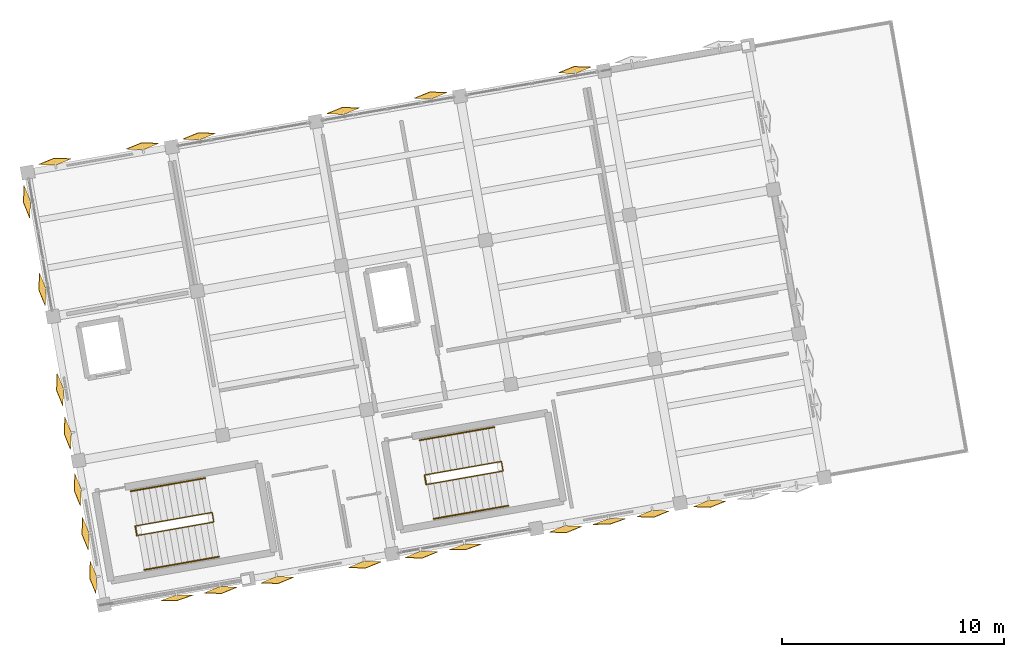
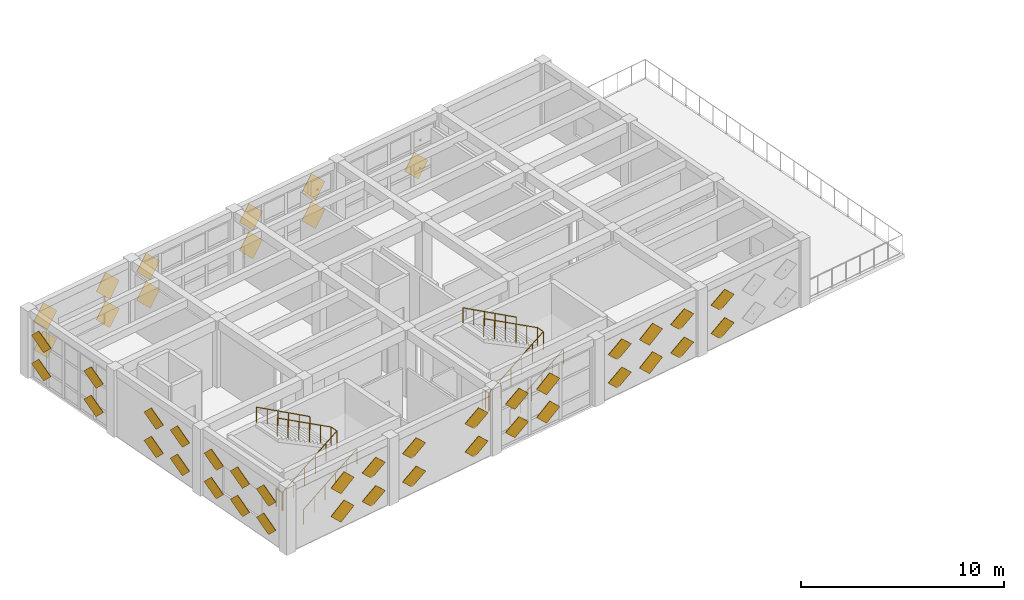
# One storey, part 17 of 18: 45 coverings, 8 railings.
"""IFC4 building model written with IfcOpenShell, lengths in metres."""

from ifc_helpers import new_model, si_unit, direction, frame, origin, origin_2d, place, context, subcontext, project, spatial, polyline, circle, outline, extrude, material, type_object, element, save


model = new_model("IFC4")

# Units and contexts
model_context = context("Model", 3, precision=1e-05, world=origin(), true_north=direction((0.0, 1.0)))
body_context = subcontext(model_context, "Body", "Model", "MODEL_VIEW")
ifc_project = project(units=[si_unit("LENGTHUNIT", "METRE"), si_unit("AREAUNIT", "SQUARE_METRE"), si_unit("VOLUMEUNIT", "CUBIC_METRE"), si_unit("PLANEANGLEUNIT", "RADIAN"), si_unit("MASSUNIT", "GRAM", prefix="KILO")], contexts=[model_context])

# Site, building, storey
site_placement = place(None, origin())
site = spatial("IfcSite", under=ifc_project, at=site_placement, CompositionType="ELEMENT")
building_placement = place(site_placement, origin())
building = spatial("IfcBuilding", under=site, at=building_placement, Name="Kharisveld Research Institute", CompositionType="ELEMENT")
storey_placement = place(building_placement, frame((0.0, 0.0, 36.60009765625)))
storey = spatial("IfcBuildingStorey", under=building, at=storey_placement, Name="L08", CompositionType="ELEMENT", Elevation=36.60009765625)

# Railings
ifc_material_1 = material(Name="Steel S355JR", Category="steel")
railing_type_1 = type_object("IfcRailingType", Name="RL_GRD_STR", PredefinedType="GUARDRAIL", material=ifc_material_1)
railing_1_placement = place(storey_placement, frame((6.75048828125, 38.13671875, 0.0)))
element("IfcRailing", 1, at=railing_1_placement, inside=storey, type_object=railing_type_1, Name="RLG:ST1:L08:GRD_SLOT", PredefinedType="GUARDRAIL", context=body_context, shape_type="SweptSolid", body=[
    extrude(circle(Radius=0.02392578125, at=origin_2d()), frame((0.0, 0.0, 1.09619140625), z_axis=(0.841896624573, 0.148449351084, 0.518818719492), x_axis=(-0.173648473997, 0.984807700761, 0.0)), (0.0, 0.0, 1.0), 4.04736328125),
    extrude(circle(Radius=0.02392578125, at=origin_2d()), frame((3.407470703125, 0.600830078125, 3.19580078125), z_axis=(-0.173658729201, 0.984805892434, 0.0), x_axis=(-0.984805892434, -0.173658729201, 0.0)), (0.0, 0.0, 1.0), 0.43994140625),
    extrude(circle(Radius=0.02392578125, at=origin_2d()), frame((3.3310546875, 1.0341796875, 3.19580078125), z_axis=(-0.841852707203, -0.148452243653, 0.518889150714), x_axis=(0.173660541335, -0.984805572884, 0.0)), (0.0, 0.0, 1.0), 4.04736328125),
    extrude(circle(Radius=0.02099609375, at=origin_2d()), origin(), (0.0, 0.0, 1.0), 1.072021484375),
    extrude(circle(Radius=0.02099609375, at=origin_2d()), frame((0.681396484375, 0.1201171875, 0.419921875)), (0.0, 0.0, 1.0), 1.072021484375),
    extrude(circle(Radius=0.02099609375, at=origin_2d()), frame((1.363037109375, 0.240234375, 0.83984375)), (0.0, 0.0, 1.0), 1.072021484375),
    extrude(circle(Radius=0.02099609375, at=origin_2d()), frame((2.04443359375, 0.360595703125, 1.260009765625)), (0.0, 0.0, 1.0), 1.072021484375),
    extrude(circle(Radius=0.02099609375, at=origin_2d()), frame((2.72607421875, 0.480712890625, 1.679931640625)), (0.0, 0.0, 1.0), 1.072021484375),
    extrude(circle(Radius=0.02099609375, at=origin_2d()), frame((3.407470703125, 0.600830078125, 2.099853515625)), (0.0, 0.0, 1.0), 1.072021484375),
    extrude(circle(Radius=0.02099609375, at=origin_2d()), frame((3.3310546875, 1.0341796875, 2.099853515625)), (0.0, 0.0, 1.0), 1.072021484375),
    extrude(circle(Radius=0.02099609375, at=origin_2d()), frame((2.649658203125, 0.9140625, 2.519775390625)), (0.0, 0.0, 1.0), 1.072021484375),
    extrude(circle(Radius=0.02099609375, at=origin_2d()), frame((1.96826171875, 0.7939453125, 2.93994140625)), (0.0, 0.0, 1.0), 1.072021484375),
    extrude(circle(Radius=0.02099609375, at=origin_2d()), frame((1.28662109375, 0.673583984375, 3.35986328125)), (0.0, 0.0, 1.0), 1.072021484375),
    extrude(circle(Radius=0.02099609375, at=origin_2d()), frame((0.605224609375, 0.553466796875, 3.780029296875)), (0.0, 0.0, 1.0), 1.072021484375),
    extrude(circle(Radius=0.02099609375, at=origin_2d()), frame((-0.076171875, 0.433349609375, 4.199951171875)), (0.0, 0.0, 1.0), 1.072021484375),
])
railing_2_placement = place(storey_placement, frame((6.69140625, 38.12646484375, 0.0)))
element("IfcRailing", 2, at=railing_2_placement, inside=storey, type_object=railing_type_1, Name="RLG:ST1:L08:GRD_FLRSLOT", PredefinedType="GUARDRAIL", context=body_context, shape_type="SweptSolid", body=[
    extrude(circle(Radius=0.02392578125, at=origin_2d()), frame((0.0, 0.0, 1.09619140625), z_axis=(-0.173753665698, 0.984789146801, 0.0), x_axis=(-0.984789146801, -0.173753665698, 0.0)), (0.0, 0.0, 1.0), 0.439697265625),
    extrude(circle(Radius=0.02099609375, at=origin_2d()), origin(), (0.0, 0.0, 1.0), 1.072021484375),
    extrude(circle(Radius=0.02099609375, at=origin_2d()), frame((-0.076416015625, 0.43310546875, 0.0)), (0.0, 0.0, 1.0), 1.072021484375),
])
railing_3_placement = place(storey_placement, frame((19.79931640625, 40.4375, 0.0)))
element("IfcRailing", 3, at=railing_3_placement, inside=storey, type_object=railing_type_1, Name="RLG:ST2:L08:GRD_SLOT", PredefinedType="GUARDRAIL", context=body_context, shape_type="SweptSolid", body=[
    extrude(circle(Radius=0.02392578125, at=origin_2d()), frame((0.0, 0.0, 1.09619140625), z_axis=(0.841896624573, 0.148449351084, 0.518818719492), x_axis=(-0.173648473997, 0.984807700761, 0.0)), (0.0, 0.0, 1.0), 4.04736328125),
    extrude(circle(Radius=0.02392578125, at=origin_2d()), frame((3.407470703125, 0.600830078125, 3.19580078125), z_axis=(-0.173658729201, 0.984805892434, 0.0), x_axis=(-0.984805892434, -0.173658729201, 0.0)), (0.0, 0.0, 1.0), 0.43994140625),
    extrude(circle(Radius=0.02392578125, at=origin_2d()), frame((3.3310546875, 1.0341796875, 3.19580078125), z_axis=(-0.841870276676, -0.14844470523, 0.518862801459), x_axis=(0.173648473997, -0.984807700761, 0.0)), (0.0, 0.0, 1.0), 4.047607421875),
    extrude(circle(Radius=0.02099609375, at=origin_2d()), origin(), (0.0, 0.0, 1.0), 1.072021484375),
    extrude(circle(Radius=0.02099609375, at=origin_2d()), frame((0.681396484375, 0.1201171875, 0.419921875)), (0.0, 0.0, 1.0), 1.072021484375),
    extrude(circle(Radius=0.02099609375, at=origin_2d()), frame((1.363037109375, 0.240234375, 0.83984375)), (0.0, 0.0, 1.0), 1.072021484375),
    extrude(circle(Radius=0.02099609375, at=origin_2d()), frame((2.04443359375, 0.360595703125, 1.260009765625)), (0.0, 0.0, 1.0), 1.072021484375),
    extrude(circle(Radius=0.02099609375, at=origin_2d()), frame((2.72607421875, 0.480712890625, 1.679931640625)), (0.0, 0.0, 1.0), 1.072021484375),
    extrude(circle(Radius=0.02099609375, at=origin_2d()), frame((3.407470703125, 0.600830078125, 2.099853515625)), (0.0, 0.0, 1.0), 1.072021484375),
    extrude(circle(Radius=0.02099609375, at=origin_2d()), frame((3.3310546875, 1.0341796875, 2.099853515625)), (0.0, 0.0, 1.0), 1.072021484375),
    extrude(circle(Radius=0.02099609375, at=origin_2d()), frame((2.649658203125, 0.9140625, 2.519775390625)), (0.0, 0.0, 1.0), 1.072021484375),
    extrude(circle(Radius=0.02099609375, at=origin_2d()), frame((1.968017578125, 0.7939453125, 2.93994140625)), (0.0, 0.0, 1.0), 1.072021484375),
    extrude(circle(Radius=0.02099609375, at=origin_2d()), frame((1.28662109375, 0.673583984375, 3.35986328125)), (0.0, 0.0, 1.0), 1.072021484375),
    extrude(circle(Radius=0.02099609375, at=origin_2d()), frame((0.60498046875, 0.553466796875, 3.780029296875)), (0.0, 0.0, 1.0), 1.072021484375),
    extrude(circle(Radius=0.02099609375, at=origin_2d()), frame((-0.076416015625, 0.433349609375, 4.199951171875)), (0.0, 0.0, 1.0), 1.072021484375),
])
railing_4_placement = place(storey_placement, frame((19.740234375, 40.42724609375, 0.0)))
element("IfcRailing", 4, at=railing_4_placement, inside=storey, type_object=railing_type_1, Name="RLG:ST2:L08:GRD_FLRSLOT", PredefinedType="GUARDRAIL", context=body_context, shape_type="SweptSolid", body=[
    extrude(circle(Radius=0.02392578125, at=origin_2d()), frame((0.0, 0.0, 1.09619140625), z_axis=(-0.173658729201, 0.984805892434, 0.0), x_axis=(-0.984805892434, -0.173658729201, 0.0)), (0.0, 0.0, 1.0), 0.43994140625),
    extrude(circle(Radius=0.02099609375, at=origin_2d()), origin(), (0.0, 0.0, 1.0), 1.072021484375),
    extrude(circle(Radius=0.02099609375, at=origin_2d()), frame((-0.0380859375, 0.216796875, 0.0)), (0.0, 0.0, 1.0), 1.072021484375),
    extrude(circle(Radius=0.02099609375, at=origin_2d()), frame((-0.076416015625, 0.433349609375, 0.0)), (0.0, 0.0, 1.0), 1.072021484375),
])
ifc_material_2 = material(Name="Stainless Steel 316", Category="steel")
railing_type_2 = type_object("IfcRailingType", Name="RL_HND_STR", PredefinedType="HANDRAIL", material=ifc_material_2)
railing_5_placement = place(storey_placement, frame((7.02490234375, 36.580810546875, 0.0)))
element("IfcRailing", 5, at=railing_5_placement, inside=storey, type_object=railing_type_2, Name="RLG:ST1:L08:HR1", PredefinedType="HANDRAIL", context=body_context, shape_type="SweptSolid", body=[
    extrude(circle(Radius=0.02392578125, at=origin_2d()), frame((0.0, 0.0, 0.89599609375), z_axis=(0.839253735377, 0.14794614993, 0.523225672512), x_axis=(-0.173606152129, 0.984815162324, 0.0)), (0.0, 0.0, 1.0), 4.01318359375),
    extrude(circle(Radius=0.02099609375, at=origin_2d()), origin(), (0.0, 0.0, 1.0), 0.871826171875),
    extrude(circle(Radius=0.02099609375, at=origin_2d()), frame((0.673583984375, 0.11865234375, 0.419921875)), (0.0, 0.0, 1.0), 0.871826171875),
    extrude(circle(Radius=0.02099609375, at=origin_2d()), frame((1.34716796875, 0.237548828125, 0.83984375)), (0.0, 0.0, 1.0), 0.871826171875),
    extrude(circle(Radius=0.02099609375, at=origin_2d()), frame((2.02099609375, 0.356201171875, 1.260009765625)), (0.0, 0.0, 1.0), 0.871826171875),
    extrude(circle(Radius=0.02099609375, at=origin_2d()), frame((2.694580078125, 0.47509765625, 1.679931640625)), (0.0, 0.0, 1.0), 0.871826171875),
    extrude(circle(Radius=0.02099609375, at=origin_2d()), frame((3.3681640625, 0.59375, 2.099853515625)), (0.0, 0.0, 1.0), 0.871826171875),
])
railing_6_placement = place(storey_placement, frame((9.767822265625, 40.719970703125, 2.099853515625)))
element("IfcRailing", 6, at=railing_6_placement, inside=storey, type_object=railing_type_2, Name="RLG:ST1:L08:HR2", PredefinedType="HANDRAIL", context=body_context, shape_type="SweptSolid", body=[
    extrude(circle(Radius=0.02392578125, at=origin_2d()), frame((0.0, 0.0, 0.89599609375), z_axis=(-0.839201478433, -0.148008495616, 0.523291853387), x_axis=(0.173687593446, -0.984800802134, 0.0)), (0.0, 0.0, 1.0), 4.01318359375),
    extrude(circle(Radius=0.02099609375, at=origin_2d()), origin(), (0.0, 0.0, 1.0), 0.871826171875),
    extrude(circle(Radius=0.02099609375, at=origin_2d()), frame((-0.673583984375, -0.118896484375, 0.419921875)), (0.0, 0.0, 1.0), 0.871826171875),
    extrude(circle(Radius=0.02099609375, at=origin_2d()), frame((-1.34716796875, -0.237548828125, 0.840087890625)), (0.0, 0.0, 1.0), 0.871826171875),
    extrude(circle(Radius=0.02099609375, at=origin_2d()), frame((-2.020751953125, -0.3564453125, 1.260009765625)), (0.0, 0.0, 1.0), 0.871826171875),
    extrude(circle(Radius=0.02099609375, at=origin_2d()), frame((-2.6943359375, -0.47509765625, 1.68017578125)), (0.0, 0.0, 1.0), 0.871826171875),
    extrude(circle(Radius=0.02099609375, at=origin_2d()), frame((-3.367919921875, -0.593994140625, 2.10009765625)), (0.0, 0.0, 1.0), 0.871826171875),
])
railing_7_placement = place(storey_placement, frame((20.07373046875, 38.881591796875, 0.0)))
element("IfcRailing", 7, at=railing_7_placement, inside=storey, type_object=railing_type_2, Name="RLG:ST2:L08:HR1", PredefinedType="HANDRAIL", context=body_context, shape_type="SweptSolid", body=[
    extrude(circle(Radius=0.02392578125, at=origin_2d()), frame((0.0, 0.0, 0.89599609375), z_axis=(0.839228193129, 0.148013207241, 0.523247675905), x_axis=(-0.173687593446, 0.984800802134, 0.0)), (0.0, 0.0, 1.0), 4.01318359375),
    extrude(circle(Radius=0.02099609375, at=origin_2d()), origin(), (0.0, 0.0, 1.0), 0.871826171875),
    extrude(circle(Radius=0.02099609375, at=origin_2d()), frame((0.673583984375, 0.118896484375, 0.419921875)), (0.0, 0.0, 1.0), 0.871826171875),
    extrude(circle(Radius=0.02099609375, at=origin_2d()), frame((1.34716796875, 0.237548828125, 0.83984375)), (0.0, 0.0, 1.0), 0.871826171875),
    extrude(circle(Radius=0.02099609375, at=origin_2d()), frame((2.020751953125, 0.3564453125, 1.260009765625)), (0.0, 0.0, 1.0), 0.871826171875),
    extrude(circle(Radius=0.02099609375, at=origin_2d()), frame((2.6943359375, 0.47509765625, 1.679931640625)), (0.0, 0.0, 1.0), 0.871826171875),
    extrude(circle(Radius=0.02099609375, at=origin_2d()), frame((3.367919921875, 0.593994140625, 2.099853515625)), (0.0, 0.0, 1.0), 0.871826171875),
])
railing_8_placement = place(storey_placement, frame((22.816650390625, 43.020751953125, 2.099853515625)))
element("IfcRailing", 8, at=railing_8_placement, inside=storey, type_object=railing_type_2, Name="RLG:ST2:L08:HR2", PredefinedType="HANDRAIL", context=body_context, shape_type="SweptSolid", body=[
    extrude(circle(Radius=0.02392578125, at=origin_2d()), frame((0.0, 0.0, 0.89599609375), z_axis=(-0.839227022115, -0.147941440837, 0.523269849538), x_axis=(0.173606152129, -0.984815162324, 0.0)), (0.0, 0.0, 1.0), 4.013427734375),
    extrude(circle(Radius=0.02099609375, at=origin_2d()), origin(), (0.0, 0.0, 1.0), 0.871826171875),
    extrude(circle(Radius=0.02099609375, at=origin_2d()), frame((-0.673583984375, -0.11865234375, 0.419921875)), (0.0, 0.0, 1.0), 0.871826171875),
    extrude(circle(Radius=0.02099609375, at=origin_2d()), frame((-1.34716796875, -0.237548828125, 0.840087890625)), (0.0, 0.0, 1.0), 0.871826171875),
    extrude(circle(Radius=0.02099609375, at=origin_2d()), frame((-2.02099609375, -0.356201171875, 1.260009765625)), (0.0, 0.0, 1.0), 0.871826171875),
    extrude(circle(Radius=0.02099609375, at=origin_2d()), frame((-2.694580078125, -0.47509765625, 1.68017578125)), (0.0, 0.0, 1.0), 0.871826171875),
    extrude(circle(Radius=0.02099609375, at=origin_2d()), frame((-3.3681640625, -0.59375, 2.10009765625)), (0.0, 0.0, 1.0), 0.871826171875),
])

# Coverings
ifc_material_3 = material(Name="White Powder-Coated Perforated Aluminium", Category="aluminium")
covering_type = type_object("IfcCoveringType", Name="CV_DIA_105", PredefinedType="CLADDING")
for number, where, z_axis, x_axis, name in (
    (9, (4.876953125, 36.269775390625, 0.324951171875), (0.961476347302, 0.169530643305, 0.21638529192), (-0.273471090272, 0.669725119033, 0.690421485559), "SHD:V1:L08:W0:S0C0"),
    (10, (4.876953125, 36.269775390625, 2.025146484375), (0.961476347302, 0.169530643305, 0.21638529192), (-0.273471090272, 0.669725119033, 0.690421485559), "SHD:V1:L08:W0:S0C1"),
    (11, (4.529052734375, 38.24267578125, 0.324951171875), (0.961476347302, 0.169530643305, 0.21638529192), (-0.273471090272, 0.669725119033, 0.690421485559), "SHD:V1:L08:W0:S1C0"),
    (12, (4.529052734375, 38.24267578125, 2.025146484375), (0.961476347302, 0.169530643305, 0.21638529192), (-0.273471090272, 0.669725119033, 0.690421485559), "SHD:V1:L08:W0:S1C1"),
):
    element("IfcCovering", number, at=place(storey_placement, frame(where, z_axis=z_axis, x_axis=x_axis)), inside=storey, type_object=covering_type, material=ifc_material_3, Name=name, PredefinedType="CLADDING", context=body_context, shape_type="SweptSolid", body=[
        extrude(outline(polyline([(0.0, 0.0), (1.0498710291992122, 0.0), (1.0499937163043682, 1.0499534820137317), (0.00012268710515594972, 1.049953482013732), (0.0, 0.0)])), origin(), (0.0, 0.0, -1.0), 0.02392578125),
    ])
for number, where, z_axis, x_axis, name in (
    (13, (4.181396484375, 40.215576171875, 0.324951171875), (0.961442649282, 0.16952470156, 0.216539621552), (-0.273578752319, 0.669701468459, 0.690401773914), "SHD:V1:L08:W0:S2C0"),
    (14, (4.181396484375, 40.215576171875, 2.025146484375), (0.961442649282, 0.16952470156, 0.216539621552), (-0.273578752319, 0.669701468459, 0.690401773914), "SHD:V1:L08:W0:S2C1"),
):
    element("IfcCovering", number, at=place(storey_placement, frame(where, z_axis=z_axis, x_axis=x_axis)), inside=storey, type_object=covering_type, material=ifc_material_3, Name=name, PredefinedType="CLADDING", context=body_context, shape_type="SweptSolid", body=[
        extrude(outline(polyline([(0.0, 0.0), (1.0499378143046156, 0.0), (1.0500673190877523, 1.04995347463551), (0.0001962964707143966, 1.0499603048962165), (0.0, 0.0)])), origin(), (0.0, 0.0, -1.0), 0.02392578125),
    ])
for number, where, z_axis, x_axis, name in (
    (15, (3.73095703125, 42.76953125, 0.324951171875), (0.961481187298, 0.169503194288, 0.216385289699), (-0.273452141042, 0.669728459805, 0.690425750307), "SHD:V1:L08:W1:S0C0"),
    (16, (3.73095703125, 42.76953125, 2.025146484375), (0.961481187298, 0.169503194288, 0.216385289699), (-0.273452141042, 0.669728459805, 0.690425750307), "SHD:V1:L08:W1:S0C1"),
    (17, (3.383056640625, 44.742431640625, 0.324951171875), (0.961481187298, 0.169503194288, 0.216385289699), (-0.273452141042, 0.669728459805, 0.690425750307), "SHD:V1:L08:W1:S1C0"),
    (18, (3.383056640625, 44.742431640625, 2.025146484375), (0.961481187298, 0.169503194288, 0.216385289699), (-0.273452141042, 0.669728459805, 0.690425750307), "SHD:V1:L08:W1:S1C1"),
):
    element("IfcCovering", number, at=place(storey_placement, frame(where, z_axis=z_axis, x_axis=x_axis)), inside=storey, type_object=covering_type, material=ifc_material_3, Name=name, PredefinedType="CLADDING", context=body_context, shape_type="SweptSolid", body=[
        extrude(outline(polyline([(0.0, 0.0), (1.0498710289953155, -1.1102230246251565e-16), (1.0499937165082887, 1.0499534818098035), (-4.082041178410378e-05, 1.0501299960653954), (0.0, 0.0)])), origin(), (0.0, 0.0, -1.0), 0.02392578125),
    ])
for number, where, z_axis, x_axis, name in (
    (19, (2.5849609375, 49.269287109375, 0.324951171875), (0.961420032054, 0.169652917176, 0.216539626071), (-0.273667258538, 0.669685861016, 0.690381835769), "SHD:V1:L08:W2:S0C0"),
    (20, (2.5849609375, 49.269287109375, 2.025146484375), (0.961420032054, 0.169652917176, 0.216539626071), (-0.273667258538, 0.669685861016, 0.690381835769), "SHD:V1:L08:W2:S0C1"),
):
    element("IfcCovering", number, at=place(storey_placement, frame(where, z_axis=z_axis, x_axis=x_axis)), inside=storey, type_object=covering_type, material=ifc_material_3, Name=name, PredefinedType="CLADDING", context=body_context, shape_type="SweptSolid", body=[
        extrude(outline(polyline([(0.0, 0.0), (1.0499378206599106, 0.0), (1.0500673127316735, 1.0499534809922781), (-3.40054528989997e-05, 1.0501299963078314), (0.0, 0.0)])), origin(), (0.0, 0.0, -1.0), 0.02392578125),
    ])
for number, where, z_axis, x_axis, name in (
    (21, (1.88916015625, 53.215087890625, 0.324951171875), (0.961447488939, 0.169497253476, 0.216539620108), (-0.273559622879, 0.669709514325, 0.690401549211), "SHD:V1:L08:W2:S2C0"),
    (22, (1.88916015625, 53.215087890625, 2.025146484375), (0.961447488939, 0.169497253476, 0.216539620108), (-0.273559622879, 0.669709514325, 0.690401549211), "SHD:V1:L08:W2:S2C1"),
):
    element("IfcCovering", number, at=place(storey_placement, frame(where, z_axis=z_axis, x_axis=x_axis)), inside=storey, type_object=covering_type, material=ifc_material_3, Name=name, PredefinedType="CLADDING", context=body_context, shape_type="SweptSolid", body=[
        extrude(outline(polyline([(0.0, 0.0), (1.0498710247482905, 1.1102230246251565e-16), (1.0500604861589913, 1.0499603082606803), (-4.0828905999434895e-05, 1.0501299918190874), (0.0, 0.0)])), origin(), (0.0, 0.0, -1.0), 0.02392578125),
    ])
for number, where, z_axis, x_axis, name in (
    (23, (3.021484375, 54.83203125, 0.324951171875), (0.169497253476, -0.961447488939, 0.216539620108), (0.669826337005, 0.273555095257, 0.690290002907), "SHD:V1:L08:N0:S0C0"),
    (24, (3.021484375, 54.83203125, 2.025146484375), (0.169497253476, -0.961447488939, 0.216539620108), (0.669826337005, 0.273555095257, 0.690290002907), "SHD:V1:L08:N0:S0C1"),
):
    element("IfcCovering", number, at=place(storey_placement, frame(where, z_axis=z_axis, x_axis=x_axis)), inside=storey, type_object=covering_type, material=ifc_material_3, Name=name, PredefinedType="CLADDING", context=body_context, shape_type="SweptSolid", body=[
        extrude(outline(polyline([(0.0, 0.0), (1.0501013287743868, 0.0), (1.0498908116789152, 1.0501299715118642), (1.9800637014233402e-05, 1.0499603251677767), (0.0, 0.0)])), origin(), (0.0, 0.0, -1.0), 0.02392578125),
    ])
for number, where, z_axis, x_axis, name in (
    (25, (6.96728515625, 55.52783203125, 0.324951171875), (0.169652917176, -0.961420032054, 0.216539626071), (0.66980738436, 0.273662566838, 0.690265794725), "SHD:V1:L08:N0:S2C0"),
    (26, (6.96728515625, 55.52783203125, 2.025146484375), (0.169652917176, -0.961420032054, 0.216539626071), (0.66980738436, 0.273662566838, 0.690265794725), "SHD:V1:L08:N0:S2C1"),
):
    element("IfcCovering", number, at=place(storey_placement, frame(where, z_axis=z_axis, x_axis=x_axis)), inside=storey, type_object=covering_type, material=ifc_material_3, Name=name, PredefinedType="CLADDING", context=body_context, shape_type="SweptSolid", body=[
        extrude(outline(polyline([(0.0, 0.0), (1.0501013330201203, 0.0), (1.049890807434033, 1.0501299757557796), (-4.699839263988537e-05, 1.0499534879256078), (0.0, 0.0)])), origin(), (0.0, 0.0, -1.0), 0.02392578125),
    ])
for number, where, z_axis, x_axis, name in (
    (27, (9.521240234375, 55.978271484375, 0.324951171875), (0.169503194288, -0.961481187298, 0.216385289699), (0.669849989418, 0.273447448775, 0.690309701826), "SHD:V1:L08:N1:S0C0"),
    (28, (9.521240234375, 55.978271484375, 2.025146484375), (0.169503194288, -0.961481187298, 0.216385289699), (0.669849989418, 0.273447448775, 0.690309701826), "SHD:V1:L08:N1:S0C1"),
):
    element("IfcCovering", number, at=place(storey_placement, frame(where, z_axis=z_axis, x_axis=x_axis)), inside=storey, type_object=covering_type, material=ifc_material_3, Name=name, PredefinedType="CLADDING", context=body_context, shape_type="SweptSolid", body=[
        extrude(outline(polyline([(0.0, 0.0), (1.0500345517563856, -1.1102230246251565e-16), (1.0498172010450848, 1.0501299743656882), (-5.381311622809637e-05, 1.0499534875988095), (0.0, 0.0)])), origin(), (0.0, 0.0, -1.0), 0.02392578125),
    ])
for number, where, z_axis, x_axis, name in (
    (29, (16.02099609375, 57.124267578125, 0.324951171875), (0.16952470156, -0.961442649282, 0.216539621552), (0.66970617229, 0.273578570302, 0.690397283213), "SHD:V1:L08:N2:S0C0"),
    (30, (16.02099609375, 57.124267578125, 2.025146484375), (0.16952470156, -0.961442649282, 0.216539621552), (0.66970617229, 0.273578570302, 0.690397283213), "SHD:V1:L08:N2:S0C1"),
):
    element("IfcCovering", number, at=place(storey_placement, frame(where, z_axis=z_axis, x_axis=x_axis)), inside=storey, type_object=covering_type, material=ifc_material_3, Name=name, PredefinedType="CLADDING", context=body_context, shape_type="SweptSolid", body=[
        extrude(outline(polyline([(0.0, 0.0), (1.0498710226392558, 0.0), (1.0500604882684064, 1.0499603061510638), (0.00012267398601040203, 1.0499534754558235), (0.0, 0.0)])), origin(), (0.0, 0.0, -1.0), 0.02392578125),
    ])
for number, where, z_axis, x_axis, name in (
    (31, (19.966796875, 57.820068359375, 0.324951171875), (0.169530643305, -0.961476347302, 0.21638529192), (0.669725119033, 0.273471090272, 0.690421485559), "SHD:V1:L08:N2:S2C0"),
    (32, (19.966796875, 57.820068359375, 2.025146484375), (0.169530643305, -0.961476347302, 0.21638529192), (0.669725119033, 0.273471090272, 0.690421485559), "SHD:V1:L08:N2:S2C1"),
):
    element("IfcCovering", number, at=place(storey_placement, frame(where, z_axis=z_axis, x_axis=x_axis)), inside=storey, type_object=covering_type, material=ifc_material_3, Name=name, PredefinedType="CLADDING", context=body_context, shape_type="SweptSolid", body=[
        extrude(outline(polyline([(0.0, 0.0), (1.0498710291992122, 0.0), (1.0499937163043682, 1.0499534820137317), (0.00012268710515594972, 1.049953482013732), (0.0, 0.0)])), origin(), (0.0, 0.0, -1.0), 0.02392578125),
    ])
covering_1_placement = place(storey_placement, frame((26.466552734375, 58.966064453125, 0.324951171875), z_axis=(0.169652917176, -0.961420032054, 0.216539626071), x_axis=(0.669685861016, 0.273667258538, 0.690381835769)))
element("IfcCovering", 33, at=covering_1_placement, inside=storey, type_object=covering_type, material=ifc_material_3, Name="SHD:V1:L08:N3:S2C0", PredefinedType="CLADDING", context=body_context, shape_type="SweptSolid", body=[
    extrude(outline(polyline([(0.0, 0.0), (1.0499378206599106, 0.0), (1.0500673127316735, 1.0499534809922781), (-3.40054528989997e-05, 1.0501299963078314), (0.0, 0.0)])), origin(), (0.0, 0.0, -1.0), 0.02392578125),
])
for number, where, z_axis, x_axis, name in (
    (34, (32.4931640625, 39.7216796875, 0.324951171875), (-0.169504241221, 0.961487125864, 0.216358080518), (-0.669853329409, -0.27342850239, 0.690313965642), "SHD:V1:L08:S5:S2C0"),
    (35, (32.4931640625, 39.7216796875, 2.025146484375), (-0.169504241221, 0.961487125864, 0.216358080518), (-0.669853329409, -0.27342850239, 0.690313965642), "SHD:V1:L08:S5:S2C1"),
):
    element("IfcCovering", number, at=place(storey_placement, frame(where, z_axis=z_axis, x_axis=x_axis)), inside=storey, type_object=covering_type, material=ifc_material_3, Name=name, PredefinedType="CLADDING", context=body_context, shape_type="SweptSolid", body=[
        extrude(outline(polyline([(0.0, 0.0), (1.0500345519602505, 0.0), (1.0499807392517624, 1.0499534878027108), (-5.381270848814346e-05, 1.049953487802711), (0.0, 0.0)])), origin(), (0.0, 0.0, -1.0), 0.02392578125),
    ])
for number, where, z_axis, x_axis, name in (
    (36, (29.939208984375, 39.271240234375, 0.324951171875), (-0.169503194288, 0.961481187298, 0.216385289699), (-0.669849989418, -0.273447448775, 0.690309701826), "SHD:V1:L08:S4:S0C0"),
    (37, (29.939208984375, 39.271240234375, 2.025146484375), (-0.169503194288, 0.961481187298, 0.216385289699), (-0.669849989418, -0.273447448775, 0.690309701826), "SHD:V1:L08:S4:S0C1"),
):
    element("IfcCovering", number, at=place(storey_placement, frame(where, z_axis=z_axis, x_axis=x_axis)), inside=storey, type_object=covering_type, material=ifc_material_3, Name=name, PredefinedType="CLADDING", context=body_context, shape_type="SweptSolid", body=[
        extrude(outline(polyline([(0.0, 0.0), (1.0500345517563856, -1.1102230246251565e-16), (1.0498172010450848, 1.0501299743656882), (-5.381311622809637e-05, 1.0499534875988095), (0.0, 0.0)])), origin(), (0.0, 0.0, -1.0), 0.02392578125),
    ])
covering_2_placement = place(storey_placement, frame((27.972900390625, 38.885986328125, 0.317626953125), z_axis=(-0.171234061711, 0.9712992705, 0.165095800177), x_axis=(-0.676173830196, -0.2377336742, 0.697331808761)))
element("IfcCovering", 38, at=covering_2_placement, inside=storey, type_object=covering_type, material=ifc_material_3, Name="SHD:V1:L08:S4:S1C0", PredefinedType="CLADDING", context=body_context, shape_type="SweptSolid", body=[
    extrude(outline(polyline([(0.0, 0.0), (1.0500032083471293, -1.1102230246251565e-16), (1.0499897163291267, 1.0500851186270816), (-0.00012569859382338677, 1.049912938756706), (0.0, 0.0)])), origin(), (0.0, 0.0, -1.0), 0.02392578125),
])
covering_3_placement = place(storey_placement, frame((27.972900390625, 38.885986328125, 2.017578125), z_axis=(-0.171234061711, 0.9712992705, 0.165095800177), x_axis=(-0.676057632461, -0.237732410628, 0.697444892825)))
element("IfcCovering", 39, at=covering_3_placement, inside=storey, type_object=covering_type, material=ifc_material_3, Name="SHD:V1:L08:S4:S1C1", PredefinedType="CLADDING", context=body_context, shape_type="SweptSolid", body=[
    extrude(outline(polyline([(0.0, 0.0), (1.050173469176079, 1.1102230246251565e-16), (1.0501599702440891, 1.049914852574201), (0.0002148158393612265, 1.050083199772804), (0.0, 0.0)])), origin(), (0.0, 0.0, -1.0), 0.02392578125),
])
for number, where, z_axis, x_axis, name in (
    (40, (25.993408203125, 38.57568359375, 0.324951171875), (-0.169652917176, 0.961420032054, 0.216539626071), (-0.66980738436, -0.273662566838, 0.690265794725), "SHD:V1:L08:S4:S2C0"),
    (41, (25.993408203125, 38.57568359375, 2.025146484375), (-0.169652917176, 0.961420032054, 0.216539626071), (-0.66980738436, -0.273662566838, 0.690265794725), "SHD:V1:L08:S4:S2C1"),
):
    element("IfcCovering", number, at=place(storey_placement, frame(where, z_axis=z_axis, x_axis=x_axis)), inside=storey, type_object=covering_type, material=ifc_material_3, Name=name, PredefinedType="CLADDING", context=body_context, shape_type="SweptSolid", body=[
        extrude(outline(polyline([(0.0, 0.0), (1.0501013330201203, 0.0), (1.049890807434033, 1.0501299757557796), (-4.699839263988537e-05, 1.0499534879256078), (0.0, 0.0)])), origin(), (0.0, 0.0, -1.0), 0.02392578125),
    ])
covering_4_placement = place(storey_placement, frame((21.47314453125, 37.73974609375, 0.317626953125), z_axis=(-0.171237830585, 0.971320648866, 0.164966064583), x_axis=(-0.676188457252, -0.237643325501, 0.697348420894)))
element("IfcCovering", 42, at=covering_4_placement, inside=storey, type_object=covering_type, material=ifc_material_3, Name="SHD:V1:L08:S3:S1C0", PredefinedType="CLADDING", context=body_context, shape_type="SweptSolid", body=[
    extrude(outline(polyline([(0.0, 0.0), (1.0499451725130124, 0.0), (1.0497685064748128, 1.0502600664649298), (-0.00018183204494859329, 1.0499148415275723), (0.0, 0.0)])), origin(), (0.0, 0.0, -1.0), 0.02392578125),
])
covering_5_placement = place(storey_placement, frame((21.47314453125, 37.73974609375, 2.017578125), z_axis=(-0.171237830585, 0.971320648866, 0.164966064583), x_axis=(-0.676072253132, -0.237642047114, 0.697461515776)))
element("IfcCovering", 43, at=covering_5_placement, inside=storey, type_object=covering_type, material=ifc_material_3, Name="SHD:V1:L08:S3:S1C1", PredefinedType="CLADDING", context=body_context, shape_type="SweptSolid", body=[
    extrude(outline(polyline([(0.0, 0.0), (1.0501154373989794, 0.0), (1.0499388016086548, 1.0500898234312432), (0.00015869960247516524, 1.0500851150823278), (0.0, 0.0)])), origin(), (0.0, 0.0, -1.0), 0.02392578125),
])
for number, where, z_axis, x_axis, name in (
    (44, (19.49365234375, 37.429443359375, 0.324951171875), (-0.169503194288, 0.961481187298, 0.216385289699), (-0.669849989418, -0.273447448775, 0.690309701826), "SHD:V1:L08:S3:S2C0"),
    (45, (19.49365234375, 37.429443359375, 2.025146484375), (-0.169503194288, 0.961481187298, 0.216385289699), (-0.669849989418, -0.273447448775, 0.690309701826), "SHD:V1:L08:S3:S2C1"),
):
    element("IfcCovering", number, at=place(storey_placement, frame(where, z_axis=z_axis, x_axis=x_axis)), inside=storey, type_object=covering_type, material=ifc_material_3, Name=name, PredefinedType="CLADDING", context=body_context, shape_type="SweptSolid", body=[
        extrude(outline(polyline([(0.0, 0.0), (1.0500345517563856, -1.1102230246251565e-16), (1.0498172010450848, 1.0501299743656882), (-5.381311622809637e-05, 1.0499534875988095), (0.0, 0.0)])), origin(), (0.0, 0.0, -1.0), 0.02392578125),
    ])
for number, where, z_axis, x_axis, name in (
    (46, (16.939697265625, 36.979248046875, 0.324951171875), (-0.169680388935, 0.961415183851, 0.216539626561), (-0.669682514552, -0.273686222093, 0.690377564481), "SHD:V1:L08:S2:S0C0"),
    (47, (16.939697265625, 36.979248046875, 2.025146484375), (-0.169680388935, 0.961415183851, 0.216539626561), (-0.669682514552, -0.273686222093, 0.690377564481), "SHD:V1:L08:S2:S0C1"),
):
    element("IfcCovering", number, at=place(storey_placement, frame(where, z_axis=z_axis, x_axis=x_axis)), inside=storey, type_object=covering_type, material=ifc_material_3, Name=name, PredefinedType="CLADDING", context=body_context, shape_type="SweptSolid", body=[
        extrude(outline(polyline([(0.0, 0.0), (1.0499378208641543, -1.1102230246251565e-16), (1.0500673125274043, 1.0499534811965692), (0.00012949166324993655, 1.0499534811965692), (0.0, 0.0)])), origin(), (0.0, 0.0, -1.0), 0.02392578125),
    ])
for number, where, z_axis, x_axis, name in (
    (48, (12.993896484375, 36.283447265625, 0.324951171875), (-0.169530643305, 0.961476347302, 0.21638529192), (-0.669725119033, -0.273471090272, 0.690421485559), "SHD:V1:L08:S2:S2C0"),
    (49, (12.993896484375, 36.283447265625, 2.025146484375), (-0.169530643305, 0.961476347302, 0.21638529192), (-0.669725119033, -0.273471090272, 0.690421485559), "SHD:V1:L08:S2:S2C1"),
    (50, (10.43994140625, 35.8330078125, 0.324951171875), (-0.169530643305, 0.961476347302, 0.21638529192), (-0.669725119033, -0.273471090272, 0.690421485559), "SHD:V1:L08:S1:S0C0"),
    (51, (10.43994140625, 35.8330078125, 2.025146484375), (-0.169530643305, 0.961476347302, 0.21638529192), (-0.669725119033, -0.273471090272, 0.690421485559), "SHD:V1:L08:S1:S0C1"),
):
    element("IfcCovering", number, at=place(storey_placement, frame(where, z_axis=z_axis, x_axis=x_axis)), inside=storey, type_object=covering_type, material=ifc_material_3, Name=name, PredefinedType="CLADDING", context=body_context, shape_type="SweptSolid", body=[
        extrude(outline(polyline([(0.0, 0.0), (1.0498710291992122, 0.0), (1.0499937163043682, 1.0499534820137317), (0.00012268710515594972, 1.049953482013732), (0.0, 0.0)])), origin(), (0.0, 0.0, -1.0), 0.02392578125),
    ])
covering_6_placement = place(storey_placement, frame((8.4736328125, 35.44775390625, 0.317626953125), z_axis=(-0.171260983897, 0.971289803558, 0.165123568578), x_axis=(-0.676047594671, -0.237771051008, 0.69744145062)))
element("IfcCovering", 52, at=covering_6_placement, inside=storey, type_object=covering_type, material=ifc_material_3, Name="SHD:V1:L08:S1:S1C0", PredefinedType="CLADDING", context=body_context, shape_type="SweptSolid", body=[
    extrude(outline(polyline([(0.0, 0.0), (1.0498381477776833, -1.1102230246251565e-16), (1.0499996344353992, 1.0500851062964023), (4.926243906100414e-05, 1.0499129451252003), (0.0, 0.0)])), origin(), (0.0, 0.0, -1.0), 0.02392578125),
])
covering_7_placement = place(storey_placement, frame((8.4736328125, 35.44775390625, 2.017578125), z_axis=(-0.171260983897, 0.971289803558, 0.165123568578), x_axis=(-0.67593137977, -0.237769781024, 0.697554514769)))
element("IfcCovering", 53, at=covering_7_placement, inside=storey, type_object=covering_type, material=ifc_material_3, Name="SHD:V1:L08:S1:S1C1", PredefinedType="CLADDING", context=body_context, shape_type="SweptSolid", body=[
    extrude(outline(polyline([(0.0, 0.0), (1.0500084353722339, -1.1102230246251565e-16), (1.0501698867361986, 1.0499148402477598), (0.00038980202211746917, 1.050083149396377), (0.0, 0.0)])), origin(), (0.0, 0.0, -1.0), 0.02392578125),
])

save(model, "model.ifc")
